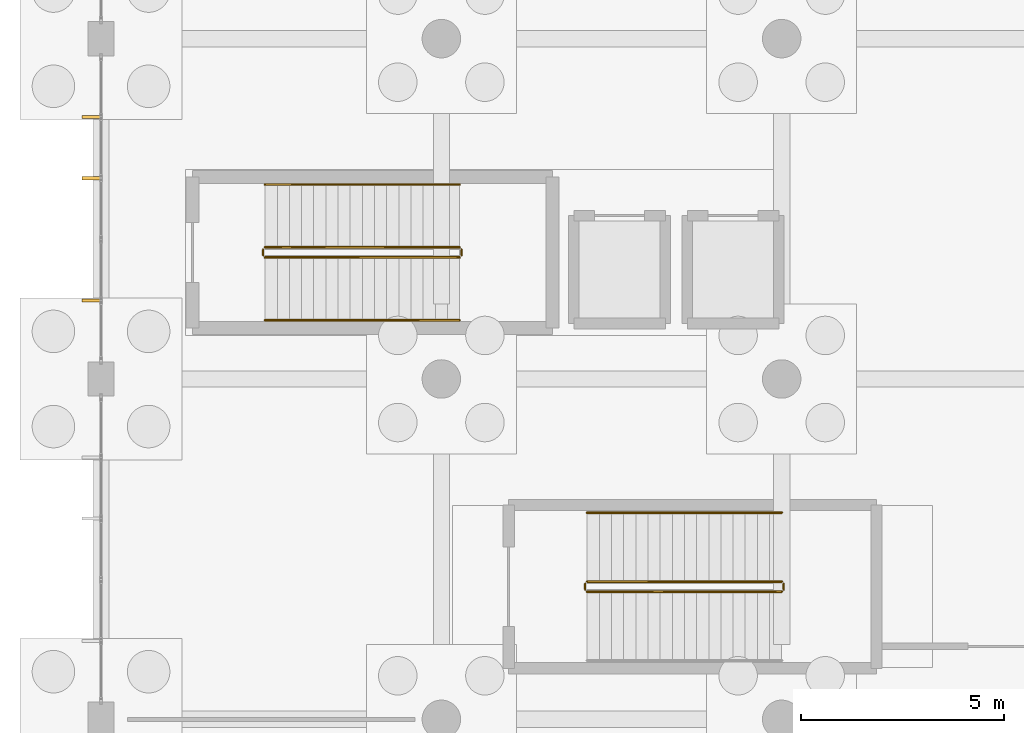
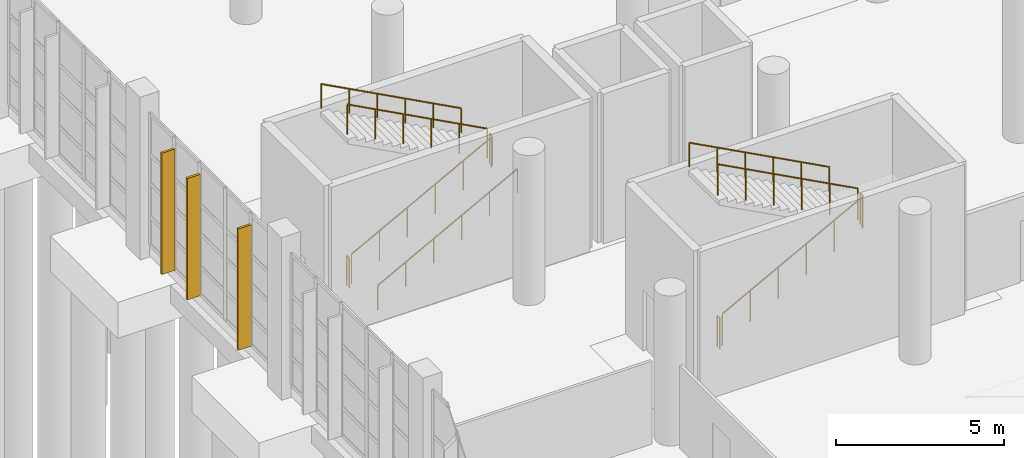
# One storey, part 66 of 83: 11 railings, 3 shading devices.
"""IFC4 building model written with IfcOpenShell, lengths in metres."""

from ifc_helpers import new_model, si_unit, direction, frame, origin, origin_2d, place, context, subcontext, project, spatial, rectangle, circle, extrude, material, type_object, element, save


model = new_model("IFC4")

# Units and contexts
model_context = context("Model", 3, precision=1e-05, world=origin(), true_north=direction((0.0, 1.0)))
body_context = subcontext(model_context, "Body", "Model", "MODEL_VIEW")
ifc_project = project(units=[si_unit("LENGTHUNIT", "METRE"), si_unit("AREAUNIT", "SQUARE_METRE"), si_unit("VOLUMEUNIT", "CUBIC_METRE"), si_unit("PLANEANGLEUNIT", "RADIAN"), si_unit("MASSUNIT", "GRAM", prefix="KILO"), si_unit("THERMODYNAMICTEMPERATUREUNIT", "KELVIN"), si_unit("POWERUNIT", "WATT")], contexts=[model_context])

# Site, building, storey
site_placement = place(None, origin())
site = spatial("IfcSite", under=ifc_project, at=site_placement, CompositionType="ELEMENT")
building_placement = place(site_placement, origin())
building = spatial("IfcBuilding", under=site, at=building_placement, Name="Mavoryth Pier Ferry Terminal", CompositionType="ELEMENT")
storey_placement = place(building_placement, origin())
storey = spatial("IfcBuildingStorey", under=building, at=storey_placement, Name="L00", CompositionType="ELEMENT", Elevation=0.0)

# Shading devices
ifc_material_1 = material(Name="Anodised Aluminium Solar-Shading Fin", Category="aluminium")
shading_device_type = type_object("IfcShadingDeviceType", Name="Fin-BriseSoleil-450x80x4400", PredefinedType="SHUTTER", material=ifc_material_1)
for number, where, z_axis, x_axis, name in (
    (1, (-0.2490234375, 62.06494140625, 0.0), (0.0, 0.0, 1.0), (0.0, -1.0, 0.0), "Solar Shading Fin 25"),
    (2, (-0.2490234375, 60.554931640625, 0.0), (0.0, 0.0, 1.0), (0.0, -1.0, 0.0), "Solar Shading Fin 26"),
    (3, (-0.2490234375, 57.534912109375, 0.0), (0.0, 0.0, 1.0), (0.0, -1.0, 0.0), "Solar Shading Fin 27"),
):
    element("IfcShadingDevice", number, at=place(storey_placement, frame(where, z_axis=z_axis, x_axis=x_axis)), inside=storey, type_object=shading_device_type, Name=name, PredefinedType="SHUTTER", context=body_context, shape_type="SweptSolid", body=[
        extrude(rectangle(XDim=0.080078125, YDim=0.449951171875, at=origin_2d()), origin(), (0.0, 0.0, 1.0), 4.39990234375),
    ])

# Railings
ifc_material_2 = material(Name="Bronze-Anodised Aluminium and Glass Balustrade", Category="aluminium")
railing_type_1 = type_object("IfcRailingType", Name="Guard-Atrium-Bronze1150", PredefinedType="GUARDRAIL", material=ifc_material_2)
railing_1_placement = place(storey_placement, frame((12.0, 50.35009765625, 0.159912109375)))
element("IfcRailing", 4, at=railing_1_placement, inside=storey, type_object=railing_type_1, Name="L00 ST13 stair guard 1", PredefinedType="GUARDRAIL", context=body_context, shape_type="SweptSolid", body=[
    extrude(circle(Radius=0.02392578125, at=origin_2d()), frame((0.0, 0.0, 1.1259765625), z_axis=(0.882350456557, 0.0, 0.470592893925), x_axis=(0.0, 1.0, 0.0)), (0.0, 0.0, 1.0), 5.440185546875),
    extrude(circle(Radius=0.02099609375, at=origin_2d()), origin(), (0.0, 0.0, 1.0), 1.101806640625),
    extrude(circle(Radius=0.02099609375, at=origin_2d()), frame((0.9599609375, 0.0, 0.511962890625)), (0.0, 0.0, 1.0), 1.101806640625),
    extrude(circle(Radius=0.02099609375, at=origin_2d()), frame((1.919921875, 0.0, 1.02392578125)), (0.0, 0.0, 1.0), 1.101806640625),
    extrude(circle(Radius=0.02099609375, at=origin_2d()), frame((2.880126953125, 0.0, 1.5361328125)), (0.0, 0.0, 1.0), 1.101806640625),
    extrude(circle(Radius=0.02099609375, at=origin_2d()), frame((3.840087890625, 0.0, 2.048095703125)), (0.0, 0.0, 1.0), 1.101806640625),
    extrude(circle(Radius=0.02099609375, at=origin_2d()), frame((4.800048828125, 0.0, 2.56005859375)), (0.0, 0.0, 1.0), 1.101806640625),
])
railing_2_placement = place(storey_placement, frame((16.85009765625, 50.39990234375, 2.719970703125)))
element("IfcRailing", 5, at=railing_2_placement, inside=storey, type_object=railing_type_1, Name="L00 ST13 stair guard 2", PredefinedType="GUARDRAIL", context=body_context, shape_type="SweptSolid", body=[
    extrude(circle(Radius=0.02392578125, at=origin_2d()), frame((0.0, 0.0, 1.1259765625), z_axis=(0.0, 1.0, 0.0), x_axis=(-1.0, 0.0, 0.0)), (0.0, 0.0, 1.0), 0.150146484375),
    extrude(circle(Radius=0.02099609375, at=origin_2d()), origin(), (0.0, 0.0, 1.0), 1.101806640625),
    extrude(circle(Radius=0.02099609375, at=origin_2d()), frame((0.0, 0.150146484375, 0.0)), (0.0, 0.0, 1.0), 1.101806640625),
])
railing_3_placement = place(storey_placement, frame((16.800048828125, 50.60009765625, 2.8798828125)))
element("IfcRailing", 6, at=railing_3_placement, inside=storey, type_object=railing_type_1, Name="L00 ST13 stair guard 3", PredefinedType="GUARDRAIL", context=body_context, shape_type="SweptSolid", body=[
    extrude(circle(Radius=0.02392578125, at=origin_2d()), frame((0.0, 0.0, 1.1259765625), z_axis=(-0.882350456557, 0.0, 0.470592893925), x_axis=(0.0, -1.0, 0.0)), (0.0, 0.0, 1.0), 5.440185546875),
    extrude(circle(Radius=0.02099609375, at=origin_2d()), origin(), (0.0, 0.0, 1.0), 1.101806640625),
    extrude(circle(Radius=0.02099609375, at=origin_2d()), frame((-0.9599609375, 0.0, 0.511962890625)), (0.0, 0.0, 1.0), 1.101806640625),
    extrude(circle(Radius=0.02099609375, at=origin_2d()), frame((-1.919921875, 0.0, 1.02392578125)), (0.0, 0.0, 1.0), 1.101806640625),
    extrude(circle(Radius=0.02099609375, at=origin_2d()), frame((-2.880126953125, 0.0, 1.5361328125)), (0.0, 0.0, 1.0), 1.101806640625),
    extrude(circle(Radius=0.02099609375, at=origin_2d()), frame((-3.840087890625, 0.0, 2.048095703125)), (0.0, 0.0, 1.0), 1.101806640625),
    extrude(circle(Radius=0.02099609375, at=origin_2d()), frame((-4.800048828125, 0.0, 2.56005859375)), (0.0, 0.0, 1.0), 1.101806640625),
])
railing_4_placement = place(storey_placement, frame((11.949951171875, 50.39990234375, 0.0)))
element("IfcRailing", 7, at=railing_4_placement, inside=storey, type_object=railing_type_1, Name="L00 ST13 stair guard 4", PredefinedType="GUARDRAIL", context=body_context, shape_type="SweptSolid", body=[
    extrude(circle(Radius=0.02392578125, at=origin_2d()), frame((0.0, 0.0, 1.1259765625), z_axis=(0.0, 1.0, 0.0), x_axis=(-1.0, 0.0, 0.0)), (0.0, 0.0, 1.0), 0.150146484375),
    extrude(circle(Radius=0.02099609375, at=origin_2d()), origin(), (0.0, 0.0, 1.0), 1.101806640625),
    extrude(circle(Radius=0.02099609375, at=origin_2d()), frame((0.0, 0.150146484375, 0.0)), (0.0, 0.0, 1.0), 1.101806640625),
])
ifc_material_3 = material(Name="Painted Galvanised Steel Balustrade", Category="steel")
railing_type_2 = type_object("IfcRailingType", Name="Guard-Stair-Steel1100", PredefinedType="GUARDRAIL", material=ifc_material_3)
railing_5_placement = place(storey_placement, frame((4.050048828125, 58.60009765625, 0.159912109375)))
element("IfcRailing", 8, at=railing_5_placement, inside=storey, type_object=railing_type_2, Name="L00 ST01 stair guard 1", PredefinedType="GUARDRAIL", context=body_context, shape_type="SweptSolid", body=[
    extrude(circle(Radius=0.02392578125, at=origin_2d()), frame((0.0, 0.0, 1.076171875), z_axis=(0.882350456557, 0.0, 0.470592893925), x_axis=(0.0, 1.0, 0.0)), (0.0, 0.0, 1.0), 5.440185546875),
    extrude(circle(Radius=0.02099609375, at=origin_2d()), origin(), (0.0, 0.0, 1.0), 1.052001953125),
    extrude(circle(Radius=0.02099609375, at=origin_2d()), frame((0.9599609375, 0.0, 0.511962890625)), (0.0, 0.0, 1.0), 1.052001953125),
    extrude(circle(Radius=0.02099609375, at=origin_2d()), frame((1.919921875, 0.0, 1.02392578125)), (0.0, 0.0, 1.0), 1.052001953125),
    extrude(circle(Radius=0.02099609375, at=origin_2d()), frame((2.880126953125, 0.0, 1.5361328125)), (0.0, 0.0, 1.0), 1.052001953125),
    extrude(circle(Radius=0.02099609375, at=origin_2d()), frame((3.840087890625, 0.0, 2.048095703125)), (0.0, 0.0, 1.0), 1.052001953125),
    extrude(circle(Radius=0.02099609375, at=origin_2d()), frame((4.800048828125, 0.0, 2.56005859375)), (0.0, 0.0, 1.0), 1.052001953125),
])
railing_6_placement = place(storey_placement, frame((8.89990234375, 58.64990234375, 2.719970703125)))
element("IfcRailing", 9, at=railing_6_placement, inside=storey, type_object=railing_type_2, Name="L00 ST01 stair guard 2", PredefinedType="GUARDRAIL", context=body_context, shape_type="SweptSolid", body=[
    extrude(circle(Radius=0.02392578125, at=origin_2d()), frame((0.0, 0.0, 1.076171875), z_axis=(0.0, 1.0, 0.0), x_axis=(-1.0, 0.0, 0.0)), (0.0, 0.0, 1.0), 0.150146484375),
    extrude(circle(Radius=0.02099609375, at=origin_2d()), origin(), (0.0, 0.0, 1.0), 1.052001953125),
    extrude(circle(Radius=0.02099609375, at=origin_2d()), frame((0.0, 0.150146484375, 0.0)), (0.0, 0.0, 1.0), 1.052001953125),
])
railing_7_placement = place(storey_placement, frame((8.85009765625, 58.85009765625, 2.8798828125)))
element("IfcRailing", 10, at=railing_7_placement, inside=storey, type_object=railing_type_2, Name="L00 ST01 stair guard 3", PredefinedType="GUARDRAIL", context=body_context, shape_type="SweptSolid", body=[
    extrude(circle(Radius=0.02392578125, at=origin_2d()), frame((0.0, 0.0, 1.076171875), z_axis=(-0.882350456557, 0.0, 0.470592893925), x_axis=(0.0, -1.0, 0.0)), (0.0, 0.0, 1.0), 5.440185546875),
    extrude(circle(Radius=0.02099609375, at=origin_2d()), origin(), (0.0, 0.0, 1.0), 1.052001953125),
    extrude(circle(Radius=0.02099609375, at=origin_2d()), frame((-0.9599609375, 0.0, 0.511962890625)), (0.0, 0.0, 1.0), 1.052001953125),
    extrude(circle(Radius=0.02099609375, at=origin_2d()), frame((-1.919921875, 0.0, 1.02392578125)), (0.0, 0.0, 1.0), 1.052001953125),
    extrude(circle(Radius=0.02099609375, at=origin_2d()), frame((-2.880126953125, 0.0, 1.5361328125)), (0.0, 0.0, 1.0), 1.052001953125),
    extrude(circle(Radius=0.02099609375, at=origin_2d()), frame((-3.840087890625, 0.0, 2.048095703125)), (0.0, 0.0, 1.0), 1.052001953125),
    extrude(circle(Radius=0.02099609375, at=origin_2d()), frame((-4.800048828125, 0.0, 2.56005859375)), (0.0, 0.0, 1.0), 1.052001953125),
])
railing_8_placement = place(storey_placement, frame((4.0, 58.64990234375, 0.0)))
element("IfcRailing", 11, at=railing_8_placement, inside=storey, type_object=railing_type_2, Name="L00 ST01 stair guard 4", PredefinedType="GUARDRAIL", context=body_context, shape_type="SweptSolid", body=[
    extrude(circle(Radius=0.02392578125, at=origin_2d()), frame((0.0, 0.0, 1.076171875), z_axis=(0.0, 1.0, 0.0), x_axis=(-1.0, 0.0, 0.0)), (0.0, 0.0, 1.0), 0.150146484375),
    extrude(circle(Radius=0.02099609375, at=origin_2d()), origin(), (0.0, 0.0, 1.0), 1.052001953125),
    extrude(circle(Radius=0.02099609375, at=origin_2d()), frame((0.0, 0.150146484375, 0.0)), (0.0, 0.0, 1.0), 1.052001953125),
])
ifc_material_4 = material(Name="Brushed Stainless Steel Tubular Handrail", Category="steel")
railing_type_3 = type_object("IfcRailingType", Name="Handrail-Stair-SS900", PredefinedType="HANDRAIL", material=ifc_material_4)
railing_9_placement = place(storey_placement, frame((4.050048828125, 57.050048828125, 0.159912109375)))
element("IfcRailing", 12, at=railing_9_placement, inside=storey, type_object=railing_type_3, Name="L00 ST01 stair handrail 1", PredefinedType="HANDRAIL", context=body_context, shape_type="SweptSolid", body=[
    extrude(circle(Radius=0.02392578125, at=origin_2d()), frame((0.0, 0.0, 0.8759765625), z_axis=(0.882350456557, 0.0, 0.470592893925), x_axis=(0.0, 1.0, 0.0)), (0.0, 0.0, 1.0), 5.440185546875),
    extrude(circle(Radius=0.02099609375, at=origin_2d()), origin(), (0.0, 0.0, 1.0), 0.851806640625),
    extrude(circle(Radius=0.02099609375, at=origin_2d()), frame((0.9599609375, 0.0, 0.511962890625)), (0.0, 0.0, 1.0), 0.851806640625),
    extrude(circle(Radius=0.02099609375, at=origin_2d()), frame((1.919921875, 0.0, 1.02392578125)), (0.0, 0.0, 1.0), 0.851806640625),
    extrude(circle(Radius=0.02099609375, at=origin_2d()), frame((2.880126953125, 0.0, 1.5361328125)), (0.0, 0.0, 1.0), 0.851806640625),
    extrude(circle(Radius=0.02099609375, at=origin_2d()), frame((3.840087890625, 0.0, 2.048095703125)), (0.0, 0.0, 1.0), 0.851806640625),
    extrude(circle(Radius=0.02099609375, at=origin_2d()), frame((4.800048828125, 0.0, 2.56005859375)), (0.0, 0.0, 1.0), 0.851806640625),
])
for number, where, name in (
    (13, (8.85009765625, 60.39990234375, 2.8798828125), "L00 ST01 stair handrail 2"),
    (14, (16.800048828125, 52.300048828125, 2.8798828125), "L00 ST13 stair handrail 2"),
):
    element("IfcRailing", number, at=place(storey_placement, frame(where)), inside=storey, type_object=railing_type_3, Name=name, PredefinedType="HANDRAIL", context=body_context, shape_type="SweptSolid", body=[
        extrude(circle(Radius=0.02392578125, at=origin_2d()), frame((0.0, 0.0, 0.8759765625), z_axis=(-0.882350456557, 0.0, 0.470592893925), x_axis=(0.0, -1.0, 0.0)), (0.0, 0.0, 1.0), 5.440185546875),
        extrude(circle(Radius=0.02099609375, at=origin_2d()), origin(), (0.0, 0.0, 1.0), 0.851806640625),
        extrude(circle(Radius=0.02099609375, at=origin_2d()), frame((-0.9599609375, 0.0, 0.511962890625)), (0.0, 0.0, 1.0), 0.851806640625),
        extrude(circle(Radius=0.02099609375, at=origin_2d()), frame((-1.919921875, 0.0, 1.02392578125)), (0.0, 0.0, 1.0), 0.851806640625),
        extrude(circle(Radius=0.02099609375, at=origin_2d()), frame((-2.880126953125, 0.0, 1.5361328125)), (0.0, 0.0, 1.0), 0.851806640625),
        extrude(circle(Radius=0.02099609375, at=origin_2d()), frame((-3.840087890625, 0.0, 2.048095703125)), (0.0, 0.0, 1.0), 0.851806640625),
        extrude(circle(Radius=0.02099609375, at=origin_2d()), frame((-4.800048828125, 0.0, 2.56005859375)), (0.0, 0.0, 1.0), 0.851806640625),
    ])

save(model, "model.ifc")
